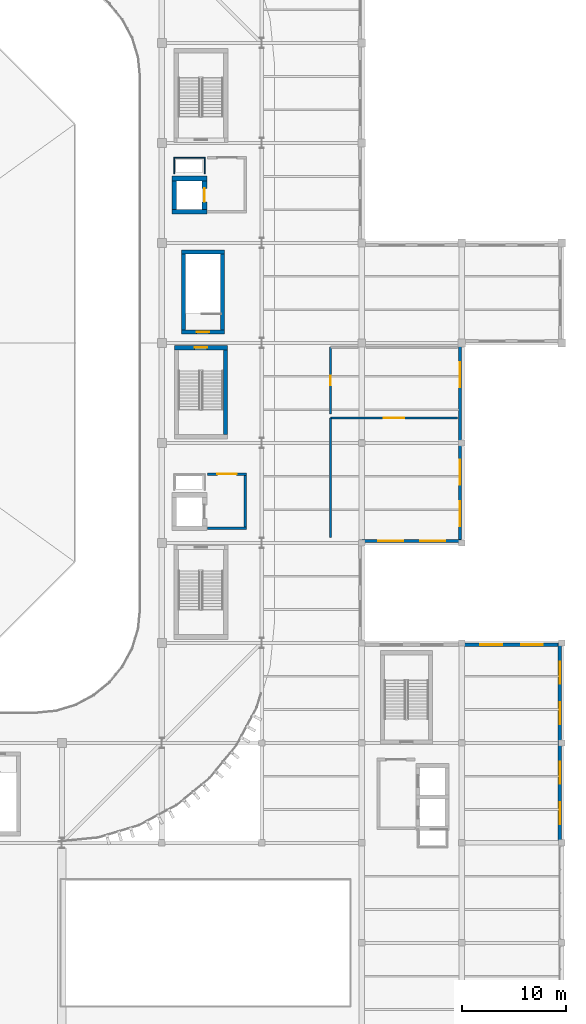
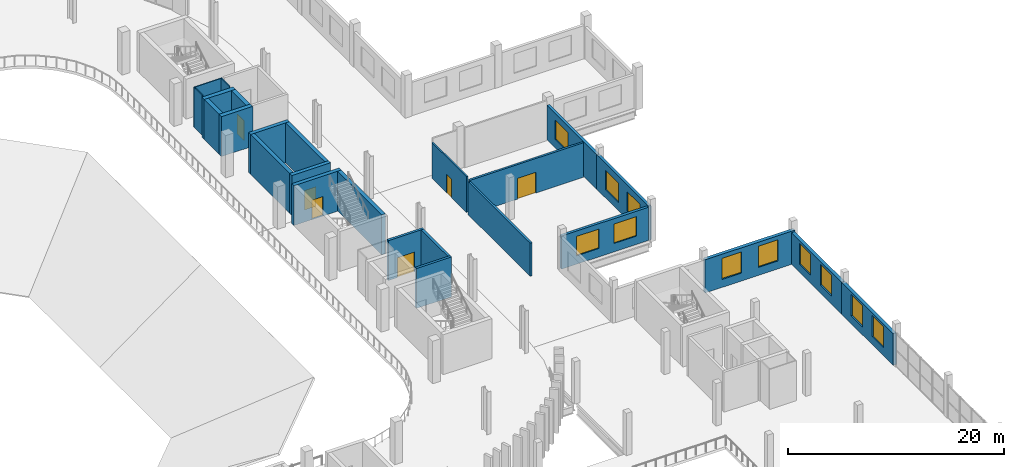
# One storey, part 64 of 99: 25 walls, 11 windows, 6 doors, 17 openings.
"""IFC4 building model written with IfcOpenShell, lengths in metres."""

from ifc_helpers import new_model, si_unit, direction, frame, frame_2d, origin, place, context, subcontext, project, spatial, rectangle, extrude, material, layer, layer_set, type_object, element, fill, save


model = new_model("IFC4")

# Units and contexts
model_context = context("Model", 3, precision=1e-05, world=origin(), true_north=direction((0.0, 1.0)))
body_context = subcontext(model_context, "Body", "Model", "MODEL_VIEW")
ifc_project = project(units=[si_unit("LENGTHUNIT", "METRE"), si_unit("AREAUNIT", "SQUARE_METRE"), si_unit("VOLUMEUNIT", "CUBIC_METRE"), si_unit("PLANEANGLEUNIT", "RADIAN"), si_unit("MASSUNIT", "GRAM", prefix="KILO")], contexts=[model_context])

# Site, building, storey
site_placement = place(None, origin())
site = spatial("IfcSite", under=ifc_project, at=site_placement, CompositionType="ELEMENT")
building_placement = place(site_placement, origin())
building = spatial("IfcBuilding", under=site, at=building_placement, Name="Caelomonte Colonnade Arena", CompositionType="ELEMENT")
storey_placement = place(building_placement, frame((0.0, 0.0, 4.800048828125)))
storey = spatial("IfcBuildingStorey", under=building, at=storey_placement, Name="L01", CompositionType="ELEMENT", Elevation=4.800048828125)

# Wall, openings, windows
ifc_material_1 = material(Name="Precast concrete C40/50", Category="concrete")
ifc_layer_1 = layer(ifc_material_1, 0.2900390625)
ifc_layer_set_1 = layer_set([ifc_layer_1], Name="Precast concrete C40/50")
wall_type_1 = type_object("IfcWallType", Name="ENV-WL-EXT29", PredefinedType="SOLIDWALL", material=ifc_layer_set_1)
wall_1_placement = place(storey_placement, frame((172.800048828125, 48.179931640625, 0.0), z_axis=(0.0, 0.0, 1.0), x_axis=(1.0, 0.0, 0.0)))
wall_1 = element("IfcWall", 1, at=wall_1_placement, inside=storey, type_object=wall_type_1, Name="L01 exterior wall EW-L01-0190", PredefinedType="SOLIDWALL", context=body_context, shape_type="SweptSolid", body=[
    extrude(rectangle(XDim=9.599853515625, YDim=0.2900390625, at=frame_2d((4.7998046875, 0.0))), origin(), (0.0, 0.0, 1.0), 3.758056640625),
])
opening_1_placement = place(wall_1_placement, frame((4.0, 0.0, 0.949951171875), z_axis=(0.0, 0.0, 1.0), x_axis=(-1.0, 0.0, 0.0)))
opening_1 = element("IfcOpeningElement", 2, at=opening_1_placement, cuts=wall_1, Name="Opening WN-04", PredefinedType="OPENING", context=body_context, shape_type="SweptSolid", body=[
    extrude(rectangle(XDim=2.39990234375, YDim=2.199951171875, at=frame_2d((1.199951171875, 1.10009765625))), frame((0.0, 0.155029296875, 0.0), z_axis=(0.0, -1.0, 0.0), x_axis=(1.0, 0.0, 0.0)), (0.0, 0.0, 1.0), 0.31005859375),
])
opening_2_placement = place(wall_1_placement, frame((8.0, 0.0, 0.949951171875), z_axis=(0.0, 0.0, 1.0), x_axis=(-1.0, 0.0, 0.0)))
opening_2 = element("IfcOpeningElement", 3, at=opening_2_placement, cuts=wall_1, Name="Opening WN-04", PredefinedType="OPENING", context=body_context, shape_type="SweptSolid", body=[
    extrude(rectangle(XDim=2.39990234375, YDim=2.199951171875, at=frame_2d((1.199951171875, 1.10009765625))), frame((0.0, 0.155029296875, 0.0), z_axis=(0.0, -1.0, 0.0), x_axis=(1.0, 0.0, 0.0)), (0.0, 0.0, 1.0), 0.31005859375),
])
ifc_material_2 = material(Name="Solar-control bronze low-E double glazing", Category="glass")
window_type_1 = type_object("IfcWindowType", Name="ENV-WN-V4A", PartitioningType="DOUBLE_PANEL_VERTICAL", PredefinedType="WINDOW", material=ifc_material_2)
window_1_placement = place(opening_1_placement, origin())
window_1 = element("IfcWindow", 4, at=window_1_placement, inside=storey, type_object=window_type_1, Name="L01 facade window 81", OverallHeight=2.199951171875, OverallWidth=2.39990234375, PartitioningType="SINGLE_PANEL", PredefinedType="WINDOW", context=body_context, shape_type="SweptSolid", body=[
    extrude(rectangle(XDim=2.39990234375, YDim=2.199951171875, at=frame_2d((1.199951171875, 1.10009765625))), frame((0.0, 0.030029296875, 0.0), z_axis=(0.0, -1.0, 0.0), x_axis=(1.0, 0.0, 0.0)), (0.0, 0.0, 1.0), 0.06005859375),
])
fill(opening_1, window_1)
window_2_placement = place(opening_2_placement, origin())
window_2 = element("IfcWindow", 5, at=window_2_placement, inside=storey, type_object=window_type_1, Name="L01 facade window 82", OverallHeight=2.199951171875, OverallWidth=2.39990234375, PartitioningType="SINGLE_PANEL", PredefinedType="WINDOW", context=body_context, shape_type="SweptSolid", body=[
    extrude(rectangle(XDim=2.39990234375, YDim=2.199951171875, at=frame_2d((1.199951171875, 1.10009765625))), frame((0.0, 0.030029296875, 0.0), z_axis=(0.0, -1.0, 0.0), x_axis=(1.0, 0.0, 0.0)), (0.0, 0.0, 1.0), 0.06005859375),
])
fill(opening_2, window_2)

wall_2_placement = place(storey_placement, frame((182.219970703125, 48.0, 0.0), z_axis=(0.0, 0.0, 1.0), x_axis=(0.0, 1.0, 0.0)))
wall_2 = element("IfcWall", 6, at=wall_2_placement, inside=storey, type_object=wall_type_1, Name="L01 exterior wall EW-L01-0191", PredefinedType="SOLIDWALL", context=body_context, shape_type="SweptSolid", body=[
    extrude(rectangle(XDim=9.60009765625, YDim=0.2900390625, at=frame_2d((4.800048828125, 0.0))), origin(), (0.0, 0.0, 1.0), 3.912841796875),
])
opening_3_placement = place(wall_2_placement, frame((4.0, 0.0, 0.949951171875), z_axis=(0.0, 0.0, 1.0), x_axis=(-1.0, 0.0, 0.0)))
opening_3 = element("IfcOpeningElement", 7, at=opening_3_placement, cuts=wall_2, Name="Opening WN-04", PredefinedType="OPENING", context=body_context, shape_type="SweptSolid", body=[
    extrude(rectangle(XDim=2.39990234375, YDim=2.199951171875, at=frame_2d((1.199951171875, 1.10009765625))), frame((0.0, 0.155029296875, 0.0), z_axis=(0.0, -1.0, 0.0), x_axis=(1.0, 0.0, 0.0)), (0.0, 0.0, 1.0), 0.31005859375),
])
opening_4_placement = place(wall_2_placement, frame((8.0, 0.0, 0.949951171875), z_axis=(0.0, 0.0, 1.0), x_axis=(-1.0, 0.0, 0.0)))
opening_4 = element("IfcOpeningElement", 8, at=opening_4_placement, cuts=wall_2, Name="Opening WN-04", PredefinedType="OPENING", context=body_context, shape_type="SweptSolid", body=[
    extrude(rectangle(XDim=2.39990234375, YDim=2.199951171875, at=frame_2d((1.199951171875, 1.10009765625))), frame((0.0, 0.155029296875, 0.0), z_axis=(0.0, -1.0, 0.0), x_axis=(1.0, 0.0, 0.0)), (0.0, 0.0, 1.0), 0.31005859375),
])
window_3_placement = place(opening_3_placement, origin())
window_3 = element("IfcWindow", 9, at=window_3_placement, inside=storey, type_object=window_type_1, Name="L01 facade window 83", OverallHeight=2.199951171875, OverallWidth=2.39990234375, PartitioningType="SINGLE_PANEL", PredefinedType="WINDOW", context=body_context, shape_type="SweptSolid", body=[
    extrude(rectangle(XDim=2.39990234375, YDim=2.199951171875, at=frame_2d((1.199951171875, 1.10009765625))), frame((0.0, 0.030029296875, 0.0), z_axis=(0.0, -1.0, 0.0), x_axis=(1.0, 0.0, 0.0)), (0.0, 0.0, 1.0), 0.06005859375),
])
fill(opening_3, window_3)
window_4_placement = place(opening_4_placement, origin())
window_4 = element("IfcWindow", 10, at=window_4_placement, inside=storey, type_object=window_type_1, Name="L01 facade window 84", OverallHeight=2.199951171875, OverallWidth=2.39990234375, PartitioningType="SINGLE_PANEL", PredefinedType="WINDOW", context=body_context, shape_type="SweptSolid", body=[
    extrude(rectangle(XDim=2.39990234375, YDim=2.199951171875, at=frame_2d((1.199951171875, 1.10009765625))), frame((0.0, 0.030029296875, 0.0), z_axis=(0.0, -1.0, 0.0), x_axis=(1.0, 0.0, 0.0)), (0.0, 0.0, 1.0), 0.06005859375),
])
fill(opening_4, window_4)

# Wall, opening, window
wall_3_placement = place(storey_placement, frame((182.219970703125, 57.60009765625, 0.0), z_axis=(0.0, 0.0, 1.0), x_axis=(0.0, 1.0, 0.0)))
wall_3 = element("IfcWall", 11, at=wall_3_placement, inside=storey, type_object=wall_type_1, Name="L01 exterior wall EW-L01-0192", PredefinedType="SOLIDWALL", context=body_context, shape_type="SweptSolid", body=[
    extrude(rectangle(XDim=9.244873046875, YDim=0.2900390625, at=frame_2d((4.62255859375, 0.0))), origin(), (0.0, 0.0, 1.0), 3.912841796875),
])
opening_5_placement = place(wall_3_placement, frame((7.76318359375, 0.0, 0.949951171875), z_axis=(0.0, 0.0, 1.0), x_axis=(-1.0, 0.0, 0.0)))
opening_5 = element("IfcOpeningElement", 12, at=opening_5_placement, cuts=wall_3, Name="Opening WN-04", PredefinedType="OPENING", context=body_context, shape_type="SweptSolid", body=[
    extrude(rectangle(XDim=2.39990234375, YDim=2.199951171875, at=frame_2d((1.199951171875, 1.10009765625))), frame((0.0, 0.155029296875, 0.0), z_axis=(0.0, -1.0, 0.0), x_axis=(1.0, 0.0, 0.0)), (0.0, 0.0, 1.0), 0.31005859375),
])
window_5_placement = place(opening_5_placement, origin())
window_5 = element("IfcWindow", 13, at=window_5_placement, inside=storey, type_object=window_type_1, Name="L01 facade window 85", OverallHeight=2.199951171875, OverallWidth=2.39990234375, PartitioningType="SINGLE_PANEL", PredefinedType="WINDOW", context=body_context, shape_type="SweptSolid", body=[
    extrude(rectangle(XDim=2.39990234375, YDim=2.199951171875, at=frame_2d((1.199951171875, 1.10009765625))), frame((0.0, 0.030029296875, 0.0), z_axis=(0.0, -1.0, 0.0), x_axis=(1.0, 0.0, 0.0)), (0.0, 0.0, 1.0), 0.06005859375),
])
fill(opening_5, window_5)

# Wall, openings, windows
ifc_layer_2 = layer(ifc_material_1, 0.360107421875)
ifc_layer_set_2 = layer_set([ifc_layer_2], Name="Precast concrete C40/50")
wall_type_2 = type_object("IfcWallType", Name="ENV-WL-EXT36", PredefinedType="SOLIDWALL", material=ifc_layer_set_2)
wall_4_placement = place(storey_placement, frame((191.820068359375, 19.199951171875, 0.0), z_axis=(0.0, 0.0, 1.0), x_axis=(0.0, 1.0, 0.0)))
wall_4 = element("IfcWall", 14, at=wall_4_placement, inside=storey, type_object=wall_type_2, Name="L01 exterior wall EW-L01-0185", PredefinedType="SOLIDWALL", context=body_context, shape_type="SweptSolid", body=[
    extrude(rectangle(XDim=9.60009765625, YDim=0.360107421875, at=frame_2d((4.800048828125, 0.0))), origin(), (0.0, 0.0, 1.0), 3.593017578125),
])
opening_6_placement = place(wall_4_placement, frame((3.900146484375, 0.0, 0.89990234375), z_axis=(0.0, 0.0, 1.0), x_axis=(-1.0, 0.0, 0.0)))
opening_6 = element("IfcOpeningElement", 15, at=opening_6_placement, cuts=wall_4, Name="Opening WN-02", PredefinedType="OPENING", context=body_context, shape_type="SweptSolid", body=[
    extrude(rectangle(XDim=2.10009765625, YDim=2.39990234375, at=frame_2d((1.050048828125, 1.199951171875))), frame((0.0, 0.18994140625, 0.0), z_axis=(0.0, -1.0, 0.0), x_axis=(1.0, 0.0, 0.0)), (0.0, 0.0, 1.0), 0.380126953125),
])
opening_7_placement = place(wall_4_placement, frame((7.800048828125, 0.0, 0.89990234375), z_axis=(0.0, 0.0, 1.0), x_axis=(-1.0, 0.0, 0.0)))
opening_7 = element("IfcOpeningElement", 16, at=opening_7_placement, cuts=wall_4, Name="Opening WN-02", PredefinedType="OPENING", context=body_context, shape_type="SweptSolid", body=[
    extrude(rectangle(XDim=2.10009765625, YDim=2.39990234375, at=frame_2d((1.050048828125, 1.199951171875))), frame((0.0, 0.18994140625, 0.0), z_axis=(0.0, -1.0, 0.0), x_axis=(1.0, 0.0, 0.0)), (0.0, 0.0, 1.0), 0.380126953125),
])
window_type_2 = type_object("IfcWindowType", Name="ENV-WN-V3B", PartitioningType="DOUBLE_PANEL_VERTICAL", PredefinedType="WINDOW", material=ifc_material_2)
window_6_placement = place(opening_6_placement, origin())
window_6 = element("IfcWindow", 17, at=window_6_placement, inside=storey, type_object=window_type_2, Name="L01 facade window 71", OverallHeight=2.39990234375, OverallWidth=2.10009765625, PartitioningType="SINGLE_PANEL", PredefinedType="WINDOW", context=body_context, shape_type="SweptSolid", body=[
    extrude(rectangle(XDim=2.10009765625, YDim=2.39990234375, at=frame_2d((1.050048828125, 1.199951171875))), frame((0.0, 0.030029296875, 0.0), z_axis=(0.0, -1.0, 0.0), x_axis=(1.0, 0.0, 0.0)), (0.0, 0.0, 1.0), 0.06005859375),
])
fill(opening_6, window_6)
window_7_placement = place(opening_7_placement, origin())
window_7 = element("IfcWindow", 18, at=window_7_placement, inside=storey, type_object=window_type_2, Name="L01 facade window 72", OverallHeight=2.39990234375, OverallWidth=2.10009765625, PartitioningType="SINGLE_PANEL", PredefinedType="WINDOW", context=body_context, shape_type="SweptSolid", body=[
    extrude(rectangle(XDim=2.10009765625, YDim=2.39990234375, at=frame_2d((1.050048828125, 1.199951171875))), frame((0.0, 0.030029296875, 0.0), z_axis=(0.0, -1.0, 0.0), x_axis=(1.0, 0.0, 0.0)), (0.0, 0.0, 1.0), 0.06005859375),
])
fill(opening_7, window_7)

wall_5_placement = place(storey_placement, frame((191.820068359375, 28.800048828125, 0.0), z_axis=(0.0, 0.0, 1.0), x_axis=(0.0, 1.0, 0.0)))
wall_5 = element("IfcWall", 19, at=wall_5_placement, inside=storey, type_object=wall_type_2, Name="L01 exterior wall EW-L01-0186", PredefinedType="SOLIDWALL", context=body_context, shape_type="SweptSolid", body=[
    extrude(rectangle(XDim=9.599853515625, YDim=0.360107421875, at=frame_2d((4.7998046875, 0.0))), origin(), (0.0, 0.0, 1.0), 3.593017578125),
])
opening_8_placement = place(wall_5_placement, frame((3.900146484375, 0.0, 0.89990234375), z_axis=(0.0, 0.0, 1.0), x_axis=(-1.0, 0.0, 0.0)))
opening_8 = element("IfcOpeningElement", 20, at=opening_8_placement, cuts=wall_5, Name="Opening WN-02", PredefinedType="OPENING", context=body_context, shape_type="SweptSolid", body=[
    extrude(rectangle(XDim=2.10009765625, YDim=2.39990234375, at=frame_2d((1.050048828125, 1.199951171875))), frame((0.0, 0.18994140625, 0.0), z_axis=(0.0, -1.0, 0.0), x_axis=(1.0, 0.0, 0.0)), (0.0, 0.0, 1.0), 0.380126953125),
])
opening_9_placement = place(wall_5_placement, frame((7.800048828125, 0.0, 0.89990234375), z_axis=(0.0, 0.0, 1.0), x_axis=(-1.0, 0.0, 0.0)))
opening_9 = element("IfcOpeningElement", 21, at=opening_9_placement, cuts=wall_5, Name="Opening WN-02", PredefinedType="OPENING", context=body_context, shape_type="SweptSolid", body=[
    extrude(rectangle(XDim=2.10009765625, YDim=2.39990234375, at=frame_2d((1.050048828125, 1.199951171875))), frame((0.0, 0.18994140625, 0.0), z_axis=(0.0, -1.0, 0.0), x_axis=(1.0, 0.0, 0.0)), (0.0, 0.0, 1.0), 0.380126953125),
])
window_8_placement = place(opening_8_placement, origin())
window_8 = element("IfcWindow", 22, at=window_8_placement, inside=storey, type_object=window_type_2, Name="L01 facade window 73", OverallHeight=2.39990234375, OverallWidth=2.10009765625, PartitioningType="SINGLE_PANEL", PredefinedType="WINDOW", context=body_context, shape_type="SweptSolid", body=[
    extrude(rectangle(XDim=2.10009765625, YDim=2.39990234375, at=frame_2d((1.050048828125, 1.199951171875))), frame((0.0, 0.030029296875, 0.0), z_axis=(0.0, -1.0, 0.0), x_axis=(1.0, 0.0, 0.0)), (0.0, 0.0, 1.0), 0.06005859375),
])
fill(opening_8, window_8)
window_9_placement = place(opening_9_placement, origin())
window_9 = element("IfcWindow", 23, at=window_9_placement, inside=storey, type_object=window_type_2, Name="L01 facade window 74", OverallHeight=2.39990234375, OverallWidth=2.10009765625, PartitioningType="SINGLE_PANEL", PredefinedType="WINDOW", context=body_context, shape_type="SweptSolid", body=[
    extrude(rectangle(XDim=2.10009765625, YDim=2.39990234375, at=frame_2d((1.050048828125, 1.199951171875))), frame((0.0, 0.030029296875, 0.0), z_axis=(0.0, -1.0, 0.0), x_axis=(1.0, 0.0, 0.0)), (0.0, 0.0, 1.0), 0.06005859375),
])
fill(opening_9, window_9)

wall_6_placement = place(storey_placement, frame((192.0, 38.219970703125, 0.0), z_axis=(0.0, 0.0, 1.0), x_axis=(-1.0, 0.0, 0.0)))
wall_6 = element("IfcWall", 24, at=wall_6_placement, inside=storey, type_object=wall_type_2, Name="L01 exterior wall EW-L01-0187", PredefinedType="SOLIDWALL", context=body_context, shape_type="SweptSolid", body=[
    extrude(rectangle(XDim=9.60009765625, YDim=0.360107421875, at=frame_2d((4.800048828125, 0.0))), origin(), (0.0, 0.0, 1.0), 3.758056640625),
])
opening_10_placement = place(wall_6_placement, frame((3.900146484375, 0.0, 0.89990234375), z_axis=(0.0, 0.0, 1.0), x_axis=(-1.0, 0.0, 0.0)))
opening_10 = element("IfcOpeningElement", 25, at=opening_10_placement, cuts=wall_6, Name="Opening WN-02", PredefinedType="OPENING", context=body_context, shape_type="SweptSolid", body=[
    extrude(rectangle(XDim=2.10009765625, YDim=2.39990234375, at=frame_2d((1.050048828125, 1.199951171875))), frame((0.0, 0.18994140625, 0.0), z_axis=(0.0, -1.0, 0.0), x_axis=(1.0, 0.0, 0.0)), (0.0, 0.0, 1.0), 0.380126953125),
])
opening_11_placement = place(wall_6_placement, frame((7.800048828125, 0.0, 0.89990234375), z_axis=(0.0, 0.0, 1.0), x_axis=(-1.0, 0.0, 0.0)))
opening_11 = element("IfcOpeningElement", 26, at=opening_11_placement, cuts=wall_6, Name="Opening WN-02", PredefinedType="OPENING", context=body_context, shape_type="SweptSolid", body=[
    extrude(rectangle(XDim=2.10009765625, YDim=2.39990234375, at=frame_2d((1.050048828125, 1.199951171875))), frame((0.0, 0.18994140625, 0.0), z_axis=(0.0, -1.0, 0.0), x_axis=(1.0, 0.0, 0.0)), (0.0, 0.0, 1.0), 0.380126953125),
])
window_10_placement = place(opening_10_placement, origin())
window_10 = element("IfcWindow", 27, at=window_10_placement, inside=storey, type_object=window_type_2, Name="L01 facade window 75", OverallHeight=2.39990234375, OverallWidth=2.10009765625, PartitioningType="SINGLE_PANEL", PredefinedType="WINDOW", context=body_context, shape_type="SweptSolid", body=[
    extrude(rectangle(XDim=2.10009765625, YDim=2.39990234375, at=frame_2d((1.050048828125, 1.199951171875))), frame((0.0, 0.030029296875, 0.0), z_axis=(0.0, -1.0, 0.0), x_axis=(1.0, 0.0, 0.0)), (0.0, 0.0, 1.0), 0.06005859375),
])
fill(opening_10, window_10)
window_11_placement = place(opening_11_placement, origin())
window_11 = element("IfcWindow", 28, at=window_11_placement, inside=storey, type_object=window_type_2, Name="L01 facade window 76", OverallHeight=2.39990234375, OverallWidth=2.10009765625, PartitioningType="SINGLE_PANEL", PredefinedType="WINDOW", context=body_context, shape_type="SweptSolid", body=[
    extrude(rectangle(XDim=2.10009765625, YDim=2.39990234375, at=frame_2d((1.050048828125, 1.199951171875))), frame((0.0, 0.030029296875, 0.0), z_axis=(0.0, -1.0, 0.0), x_axis=(1.0, 0.0, 0.0)), (0.0, 0.0, 1.0), 0.06005859375),
])
fill(opening_11, window_11)

# Wall
ifc_material_3 = material(Name="Concrete C40/50", Category="concrete")
ifc_layer_3 = layer(ifc_material_3, 0.260009765625)
ifc_layer_set_3 = layer_set([ifc_layer_3], Name="Concrete C40/50")
wall_type_3 = type_object("IfcWallType", Name="INT-WL-FW26", PredefinedType="SOLIDWALL", material=ifc_layer_set_3)
wall_7_placement = place(storey_placement, frame((157.969970703125, 49.39990234375, 0.0), z_axis=(0.0, 0.0, 1.0), x_axis=(1.0, 0.0, 0.0)))
element("IfcWall", 29, at=wall_7_placement, inside=storey, type_object=wall_type_3, Name="FW-C2-LB L01 south enclosure wall", PredefinedType="SOLIDWALL", context=body_context, shape_type="SweptSolid", body=[
    extrude(rectangle(XDim=3.760009765625, YDim=0.260009765625, at=frame_2d((1.8798828125, 0.0))), origin(), (0.0, 0.0, 1.0), 4.52001953125),
])

# Wall, opening, door
wall_8_placement = place(storey_placement, frame((161.72998046875, 54.60009765625, 0.0), z_axis=(0.0, 0.0, 1.0), x_axis=(-1.0, 0.0, 0.0)))
wall_8 = element("IfcWall", 30, at=wall_8_placement, inside=storey, type_object=wall_type_3, Name="FW-C2-LB L01 north enclosure wall", PredefinedType="SOLIDWALL", context=body_context, shape_type="SweptSolid", body=[
    extrude(rectangle(XDim=3.760009765625, YDim=0.260009765625, at=frame_2d((1.8798828125, 0.0))), origin(), (0.0, 0.0, 1.0), 4.52001953125),
])
opening_12_placement = place(wall_8_placement, frame((2.80517578125, 0.0, 0.0), z_axis=(0.0, 0.0, 1.0), x_axis=(-1.0, 0.0, 0.0)))
opening_12 = element("IfcOpeningElement", 31, at=opening_12_placement, cuts=wall_8, Name="Opening FD-2", PredefinedType="OPENING", context=body_context, shape_type="SweptSolid", body=[
    extrude(rectangle(XDim=1.85009765625, YDim=2.25, at=frame_2d((0.925048828125, 1.125))), frame((0.0, 0.139892578125, 0.0), z_axis=(0.0, -1.0, 0.0), x_axis=(1.0, 0.0, 0.0)), (0.0, 0.0, 1.0), 0.280029296875),
])
ifc_material_4 = material(Name="Fire-rated double steel door", Category="steel")
door_type_1 = type_object("IfcDoorType", Name="INT-DR-FD90B", OperationType="DOUBLE_DOOR_SINGLE_SWING", PredefinedType="DOOR", material=ifc_material_4)
door_1_placement = place(opening_12_placement, origin())
door_1 = element("IfcDoor", 32, at=door_1_placement, inside=storey, type_object=door_type_1, Name="Core C2 L01 lobby fire door", OperationType="DOUBLE_DOOR_SINGLE_SWING", OverallHeight=2.25, OverallWidth=1.85009765625, PredefinedType="DOOR", context=body_context, shape_type="SweptSolid", body=[
    extrude(rectangle(XDim=1.85009765625, YDim=2.25, at=frame_2d((0.925048828125, 1.125))), frame((0.0, 0.02490234375, 0.0), z_axis=(0.0, -1.0, 0.0), x_axis=(1.0, 0.0, 0.0)), (0.0, 0.0, 1.0), 0.050048828125),
])
fill(opening_12, door_1)

# Walls
wall_9_placement = place(storey_placement, frame((161.60009765625, 49.530029296875, 0.0), z_axis=(0.0, 0.0, 1.0), x_axis=(0.0, 1.0, 0.0)))
element("IfcWall", 33, at=wall_9_placement, inside=storey, type_object=wall_type_3, Name="FW-C2-LB L01 east enclosure wall", PredefinedType="SOLIDWALL", context=body_context, shape_type="SweptSolid", body=[
    extrude(rectangle(XDim=4.93994140625, YDim=0.260009765625, at=frame_2d((2.469970703125, 0.0))), origin(), (0.0, 0.0, 1.0), 4.52001953125),
])
ifc_material_5 = material(Name="Service shaft lining partition")
ifc_layer_4 = layer(ifc_material_5, 0.10009765625)
ifc_layer_set_4 = layer_set([ifc_layer_4], Name="Service shaft lining partition")
wall_type_4 = type_object("IfcWallType", Name="INT-WL-PT10", PredefinedType="PARTITIONING", material=ifc_layer_set_4)
wall_10_placement = place(storey_placement, frame((157.75, 85.0, 0.0), z_axis=(0.0, 0.0, 1.0), x_axis=(-1.0, 0.0, 0.0)))
element("IfcWall", 34, at=wall_10_placement, inside=storey, type_object=wall_type_4, Name="FW-C3-RS L01 north enclosure wall", PredefinedType="PARTITIONING", context=body_context, shape_type="SweptSolid", body=[
    extrude(rectangle(XDim=3.0, YDim=0.10009765625, at=frame_2d((1.5, 0.0))), origin(), (0.0, 0.0, 1.0), 4.52001953125),
])
for number, where, z_axis, x_axis, name in (
    (35, (154.800048828125, 84.949951171875, 0.0), (0.0, 0.0, 1.0), (0.0, -1.0, 0.0), "FW-C3-RS L01 west enclosure wall"),
    (36, (157.699951171875, 83.449951171875, 0.0), (0.0, 0.0, 1.0), (0.0, 1.0, 0.0), "FW-C3-RS L01 east enclosure wall"),
):
    element("IfcWall", number, at=place(storey_placement, frame(where, z_axis=z_axis, x_axis=x_axis)), inside=storey, type_object=wall_type_4, Name=name, PredefinedType="PARTITIONING", context=body_context, shape_type="SweptSolid", body=[
        extrude(rectangle(XDim=1.5, YDim=0.10009765625, at=frame_2d((0.75, 0.0))), origin(), (0.0, 0.0, 1.0), 4.52001953125),
    ])

# Wall, opening, door
ifc_material_6 = material(Name="Moisture-resistant WC partition")
ifc_layer_5 = layer(ifc_material_6, 0.159912109375)
ifc_layer_set_5 = layer_set([ifc_layer_5], Name="Moisture-resistant WC partition")
wall_type_5 = type_object("IfcWallType", Name="INT-WL-PT16", PredefinedType="PARTITIONING", material=ifc_layer_set_5)
wall_11_placement = place(storey_placement, frame((169.800048828125, 60.39990234375, 0.0), z_axis=(0.0, 0.0, 1.0), x_axis=(0.0, 1.0, 0.0)))
wall_11 = element("IfcWall", 37, at=wall_11_placement, inside=storey, type_object=wall_type_5, Name="L01 Main Concourse Restroom partition 128", PredefinedType="PARTITIONING", context=body_context, shape_type="SweptSolid", body=[
    extrude(rectangle(XDim=6.400146484375, YDim=0.159912109375, at=frame_2d((3.2001953125, 0.0))), origin(), (0.0, 0.0, 1.0), 4.062744140625),
])
opening_13_placement = place(wall_11_placement, frame((2.739990234375, 0.0, 0.0), z_axis=(0.0, 0.0, 1.0), x_axis=(1.0, 0.0, 0.0)))
opening_13 = element("IfcOpeningElement", 38, at=opening_13_placement, cuts=wall_11, Name="Opening D-L01-042", PredefinedType="OPENING", context=body_context, shape_type="SweptSolid", body=[
    extrude(rectangle(XDim=0.919921875, YDim=2.1201171875, at=frame_2d((0.4599609375, 1.06005859375))), frame((0.0, 0.08984375, 0.0), z_axis=(0.0, -1.0, 0.0), x_axis=(1.0, 0.0, 0.0)), (0.0, 0.0, 1.0), 0.179931640625),
])
ifc_material_7 = material(Name="Laminate restroom entrance door")
door_type_2 = type_object("IfcDoorType", Name="INT-DR-WC1", OperationType="NOTDEFINED", PredefinedType="DOOR", material=ifc_material_7)
door_2_placement = place(opening_13_placement, origin())
door_2 = element("IfcDoor", 39, at=door_2_placement, inside=storey, type_object=door_type_2, Name="L01 Main Concourse Restroom door D-L01-042", OperationType="SINGLE_SWING_LEFT", OverallHeight=2.1201171875, OverallWidth=0.919921875, PredefinedType="DOOR", context=body_context, shape_type="SweptSolid", body=[
    extrude(rectangle(XDim=0.919921875, YDim=2.1201171875, at=frame_2d((0.4599609375, 1.06005859375))), frame((0.0, 0.02490234375, 0.0), z_axis=(0.0, -1.0, 0.0), x_axis=(1.0, 0.0, 0.0)), (0.0, 0.0, 1.0), 0.050048828125),
])
fill(opening_13, door_2)

ifc_material_8 = material(Name="Acoustic masonry blockwork", Category="masonry")
ifc_layer_6 = layer(ifc_material_8, 0.219970703125)
ifc_layer_set_6 = layer_set([ifc_layer_6], Name="Acoustic masonry blockwork")
wall_type_6 = type_object("IfcWallType", Name="INT-WL-PT22", PredefinedType="PARTITIONING", material=ifc_layer_set_6)
wall_12_placement = place(storey_placement, frame((169.800048828125, 60.0, 0.0), z_axis=(0.0, 0.0, 1.0), x_axis=(1.0, 0.0, 0.0)))
wall_12 = element("IfcWall", 40, at=wall_12_placement, inside=storey, type_object=wall_type_6, Name="L01 South-East Concession Kitchen partition 124", PredefinedType="PARTITIONING", context=body_context, shape_type="SweptSolid", body=[
    extrude(rectangle(XDim=12.199951171875, YDim=0.219970703125, at=frame_2d((6.10009765625, 0.0))), origin(), (0.0, 0.0, 1.0), 3.912841796875),
])
opening_14_placement = place(wall_12_placement, frame((5.125, 0.0, 0.0), z_axis=(0.0, 0.0, 1.0), x_axis=(1.0, 0.0, 0.0)))
opening_14 = element("IfcOpeningElement", 41, at=opening_14_placement, cuts=wall_12, Name="Opening D-L01-041", PredefinedType="OPENING", context=body_context, shape_type="SweptSolid", body=[
    extrude(rectangle(XDim=1.949951171875, YDim=2.35009765625, at=frame_2d((0.97509765625, 1.175048828125))), frame((0.0, 0.119873046875, 0.0), z_axis=(0.0, -1.0, 0.0), x_axis=(1.0, 0.0, 0.0)), (0.0, 0.0, 1.0), 0.239990234375),
])
ifc_material_9 = material(Name="Double hollow-metal plant room door")
door_type_3 = type_object("IfcDoorType", Name="INT-DR-PLT", OperationType="DOUBLE_DOOR_SINGLE_SWING", PredefinedType="DOOR", material=ifc_material_9)
door_3_placement = place(opening_14_placement, origin())
door_3 = element("IfcDoor", 42, at=door_3_placement, inside=storey, type_object=door_type_3, Name="L01 South-East Concession Kitchen door D-L01-041", OperationType="DOUBLE_DOOR_SINGLE_SWING", OverallHeight=2.35009765625, OverallWidth=1.949951171875, PredefinedType="DOOR", context=body_context, shape_type="SweptSolid", body=[
    extrude(rectangle(XDim=1.949951171875, YDim=2.35009765625, at=frame_2d((0.97509765625, 1.175048828125))), frame((0.0, 0.02490234375, 0.0), z_axis=(0.0, -1.0, 0.0), x_axis=(1.0, 0.0, 0.0)), (0.0, 0.0, 1.0), 0.050048828125),
])
fill(opening_14, door_3)

# Wall
wall_13_placement = place(storey_placement, frame((169.800048828125, 48.5, 0.0), z_axis=(0.0, 0.0, 1.0), x_axis=(0.0, 1.0, 0.0)))
element("IfcWall", 43, at=wall_13_placement, inside=storey, type_object=wall_type_6, Name="L01 South-East Concession Kitchen partition 125", PredefinedType="PARTITIONING", context=body_context, shape_type="SweptSolid", body=[
    extrude(rectangle(XDim=11.5, YDim=0.219970703125, at=frame_2d((5.75, 0.0))), origin(), (0.0, 0.0, 1.0), 3.758056640625),
])

# Wall, opening, door
ifc_material_10 = material(Name="Concrete C50/60", Category="concrete")
ifc_layer_7 = layer(ifc_material_10, 0.39990234375)
ifc_layer_set_7 = layer_set([ifc_layer_7], Name="Concrete C50/60")
wall_type_7 = type_object("IfcWallType", Name="INT-WL-SH40", PredefinedType="SHEAR", material=ifc_layer_set_7)
wall_14_placement = place(storey_placement, frame((159.89990234375, 66.75, 0.0), z_axis=(0.0, 0.0, 1.0), x_axis=(-1.0, 0.0, 0.0)))
wall_14 = element("IfcWall", 44, at=wall_14_placement, inside=storey, type_object=wall_type_7, Name="CW-ST-10 L01 north enclosure wall", PredefinedType="SHEAR", context=body_context, shape_type="SweptSolid", body=[
    extrude(rectangle(XDim=5.099853515625, YDim=0.39990234375, at=frame_2d((2.5498046875, 0.0))), origin(), (0.0, 0.0, 1.0), 4.52001953125),
])
opening_15_placement = place(wall_14_placement, frame((3.14990234375, 0.0, 0.0), z_axis=(0.0, 0.0, 1.0), x_axis=(-1.0, 0.0, 0.0)))
opening_15 = element("IfcOpeningElement", 45, at=opening_15_placement, cuts=wall_14, Name="Opening FD-1", PredefinedType="OPENING", context=body_context, shape_type="SweptSolid", body=[
    extrude(rectangle(XDim=1.199951171875, YDim=2.199951171875, at=frame_2d((0.60009765625, 1.10009765625))), frame((0.0, 0.2099609375, 0.0), z_axis=(0.0, -1.0, 0.0), x_axis=(1.0, 0.0, 0.0)), (0.0, 0.0, 1.0), 0.419921875),
])
ifc_material_11 = material(Name="Fire-rated steel door", Category="steel")
door_type_4 = type_object("IfcDoorType", Name="INT-DR-FD90A", OperationType="NOTDEFINED", PredefinedType="DOOR", material=ifc_material_11)
door_4_placement = place(opening_15_placement, origin())
door_4 = element("IfcDoor", 46, at=door_4_placement, inside=storey, type_object=door_type_4, Name="Protected exit stair ST-10 L01 fire door", OperationType="SINGLE_SWING_LEFT", OverallHeight=2.199951171875, OverallWidth=1.199951171875, PredefinedType="DOOR", context=body_context, shape_type="SweptSolid", body=[
    extrude(rectangle(XDim=1.199951171875, YDim=2.199951171875, at=frame_2d((0.60009765625, 1.10009765625))), frame((0.0, 0.02490234375, 0.0), z_axis=(0.0, -1.0, 0.0), x_axis=(1.0, 0.0, 0.0)), (0.0, 0.0, 1.0), 0.050048828125),
])
fill(opening_15, door_4)

# Wall
wall_15_placement = place(storey_placement, frame((159.699951171875, 58.39990234375, 0.0), z_axis=(0.0, 0.0, 1.0), x_axis=(0.0, 1.0, 0.0)))
element("IfcWall", 47, at=wall_15_placement, inside=storey, type_object=wall_type_7, Name="CW-ST-10 L01 east enclosure wall", PredefinedType="SHEAR", context=body_context, shape_type="SweptSolid", body=[
    extrude(rectangle(XDim=8.150146484375, YDim=0.39990234375, at=frame_2d((4.0751953125, 0.0))), origin(), (0.0, 0.0, 1.0), 4.52001953125),
])

# Wall, opening, door
wall_16_placement = place(storey_placement, frame((155.469970703125, 68.27001953125, 0.0), z_axis=(0.0, 0.0, 1.0), x_axis=(1.0, 0.0, 0.0)))
wall_16 = element("IfcWall", 48, at=wall_16_placement, inside=storey, type_object=wall_type_7, Name="CW-ST-V08 L01 south enclosure wall", PredefinedType="SHEAR", context=body_context, shape_type="SweptSolid", body=[
    extrude(rectangle(XDim=4.159912109375, YDim=0.39990234375, at=frame_2d((2.080078125, 0.0))), origin(), (0.0, 0.0, 1.0), 4.52001953125),
])
opening_16_placement = place(wall_16_placement, frame((2.679931640625, 0.0, 0.0), z_axis=(0.0, 0.0, 1.0), x_axis=(-1.0, 0.0, 0.0)))
opening_16 = element("IfcOpeningElement", 49, at=opening_16_placement, cuts=wall_16, Name="Opening FD-1", PredefinedType="OPENING", context=body_context, shape_type="SweptSolid", body=[
    extrude(rectangle(XDim=1.199951171875, YDim=2.199951171875, at=frame_2d((0.60009765625, 1.10009765625))), frame((0.0, 0.2099609375, 0.0), z_axis=(0.0, -1.0, 0.0), x_axis=(1.0, 0.0, 0.0)), (0.0, 0.0, 1.0), 0.419921875),
])
door_5_placement = place(opening_16_placement, origin())
door_5 = element("IfcDoor", 50, at=door_5_placement, inside=storey, type_object=door_type_4, Name="Vomitory VOM-08 stair ST-V08 L01 portal door", OperationType="SINGLE_SWING_LEFT", OverallHeight=2.199951171875, OverallWidth=1.199951171875, PredefinedType="DOOR", context=body_context, shape_type="SweptSolid", body=[
    extrude(rectangle(XDim=1.199951171875, YDim=2.199951171875, at=frame_2d((0.60009765625, 1.10009765625))), frame((0.0, 0.02490234375, 0.0), z_axis=(0.0, -1.0, 0.0), x_axis=(1.0, 0.0, 0.0)), (0.0, 0.0, 1.0), 0.050048828125),
])
fill(opening_16, door_5)

# Walls
wall_17_placement = place(storey_placement, frame((159.6298828125, 75.929931640625, 0.0), z_axis=(0.0, 0.0, 1.0), x_axis=(-1.0, 0.0, 0.0)))
element("IfcWall", 51, at=wall_17_placement, inside=storey, type_object=wall_type_7, Name="CW-ST-V08 L01 north enclosure wall", PredefinedType="SHEAR", context=body_context, shape_type="SweptSolid", body=[
    extrude(rectangle(XDim=4.159912109375, YDim=0.39990234375, at=frame_2d((2.080078125, 0.0))), origin(), (0.0, 0.0, 1.0), 4.52001953125),
])
for number, where, z_axis, x_axis, name in (
    (52, (155.669921875, 75.72998046875, 0.0), (0.0, 0.0, 1.0), (0.0, -1.0, 0.0), "CW-ST-V08 L01 west enclosure wall"),
    (53, (159.429931640625, 68.469970703125, 0.0), (0.0, 0.0, 1.0), (0.0, 1.0, 0.0), "CW-ST-V08 L01 east enclosure wall"),
):
    element("IfcWall", number, at=place(storey_placement, frame(where, z_axis=z_axis, x_axis=x_axis)), inside=storey, type_object=wall_type_7, Name=name, PredefinedType="SHEAR", context=body_context, shape_type="SweptSolid", body=[
        extrude(rectangle(XDim=7.260009765625, YDim=0.39990234375, at=frame_2d((3.6298828125, 0.0))), origin(), (0.0, 0.0, 1.0), 4.52001953125),
    ])
ifc_layer_8 = layer(ifc_material_10, 0.449951171875)
ifc_layer_set_8 = layer_set([ifc_layer_8], Name="Concrete C50/60")
wall_type_8 = type_object("IfcWallType", Name="INT-WL-SH45", PredefinedType="SHEAR", material=ifc_layer_set_8)
for number, where, z_axis, x_axis, name in (
    (54, (154.574951171875, 79.800048828125, 0.0), (0.0, 0.0, 1.0), (1.0, 0.0, 0.0), "CW-C3-LF L01 south enclosure wall"),
    (55, (157.925048828125, 83.0, 0.0), (0.0, 0.0, 1.0), (-1.0, 0.0, 0.0), "CW-C3-LF L01 north enclosure wall"),
):
    element("IfcWall", number, at=place(storey_placement, frame(where, z_axis=z_axis, x_axis=x_axis)), inside=storey, type_object=wall_type_8, Name=name, PredefinedType="SHEAR", context=body_context, shape_type="SweptSolid", body=[
        extrude(rectangle(XDim=3.35009765625, YDim=0.449951171875, at=frame_2d((1.675048828125, 0.0))), origin(), (0.0, 0.0, 1.0), 4.52001953125),
    ])
wall_18_placement = place(storey_placement, frame((154.800048828125, 82.77490234375, 0.0), z_axis=(0.0, 0.0, 1.0), x_axis=(0.0, -1.0, 0.0)))
element("IfcWall", 56, at=wall_18_placement, inside=storey, type_object=wall_type_8, Name="CW-C3-LF L01 west enclosure wall", PredefinedType="SHEAR", context=body_context, shape_type="SweptSolid", body=[
    extrude(rectangle(XDim=2.75, YDim=0.449951171875, at=frame_2d((1.375, 0.0))), origin(), (0.0, 0.0, 1.0), 4.52001953125),
])

# Wall, opening, door
wall_19_placement = place(storey_placement, frame((157.699951171875, 80.02490234375, 0.0), z_axis=(0.0, 0.0, 1.0), x_axis=(0.0, 1.0, 0.0)))
wall_19 = element("IfcWall", 57, at=wall_19_placement, inside=storey, type_object=wall_type_8, Name="CW-C3-LF L01 east enclosure wall", PredefinedType="SHEAR", context=body_context, shape_type="SweptSolid", body=[
    extrude(rectangle(XDim=2.75, YDim=0.449951171875, at=frame_2d((1.375, 0.0))), origin(), (0.0, 0.0, 1.0), 4.52001953125),
])
opening_17_placement = place(wall_19_placement, frame((0.72509765625, 0.0, 0.0), z_axis=(0.0, 0.0, 1.0), x_axis=(1.0, 0.0, 0.0)))
opening_17 = element("IfcOpeningElement", 58, at=opening_17_placement, cuts=wall_19, Name="Opening LD-FL-03-L01", PredefinedType="OPENING", context=body_context, shape_type="SweptSolid", body=[
    extrude(rectangle(XDim=1.300048828125, YDim=2.25, at=frame_2d((0.64990234375, 1.125))), frame((0.0, 0.23486328125, 0.0), z_axis=(0.0, -1.0, 0.0), x_axis=(1.0, 0.0, 0.0)), (0.0, 0.0, 1.0), 0.469970703125),
])
ifc_material_12 = material(Name="Firefighting lift landing door")
door_type_5 = type_object("IfcDoorType", Name="INT-DR-LD2", OperationType="SLIDING_TO_RIGHT", PredefinedType="DOOR", material=ifc_material_12)
door_6_placement = place(opening_17_placement, origin())
door_6 = element("IfcDoor", 59, at=door_6_placement, inside=storey, type_object=door_type_5, Name="Lift FL-03 L01 sliding landing door", OperationType="SLIDING_TO_RIGHT", OverallHeight=2.25, OverallWidth=1.300048828125, PredefinedType="DOOR", context=body_context, shape_type="SweptSolid", body=[
    extrude(rectangle(XDim=1.300048828125, YDim=2.25, at=frame_2d((0.64990234375, 1.125))), frame((0.0, 0.02490234375, 0.0), z_axis=(0.0, -1.0, 0.0), x_axis=(1.0, 0.0, 0.0)), (0.0, 0.0, 1.0), 0.050048828125),
])
fill(opening_17, door_6)

save(model, "model.ifc")
